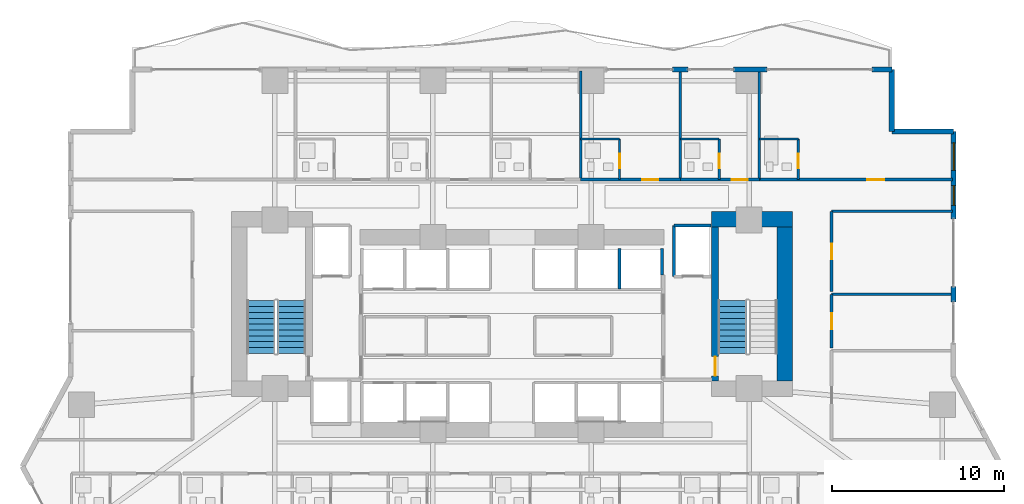
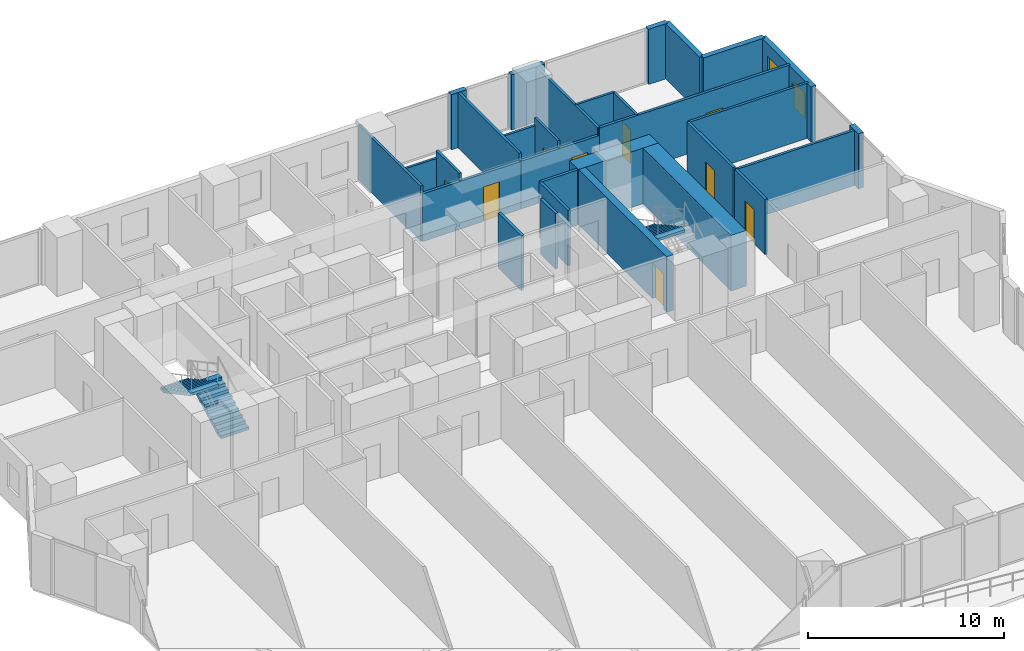
# One storey, part 22 of 28: 30 walls, 9 doors, 3 stair flights, 2 windows, 11 openings, 2 elements without a shape of their own.
"""IFC4 building model written with IfcOpenShell, lengths in metres."""

from ifc_helpers import new_model, si_unit, direction, frame, frame_2d, origin, place, context, subcontext, project, spatial, polyline, rectangle, outline, extrude, material, layer, layer_set, type_object, element, fill, aggregate, save


model = new_model("IFC4")

# Units and contexts
model_context = context("Model", 3, precision=1e-05, world=origin(), true_north=direction((0.0, 1.0)))
body_context = subcontext(model_context, "Body", "Model", "MODEL_VIEW")
ifc_project = project(units=[si_unit("LENGTHUNIT", "METRE"), si_unit("AREAUNIT", "SQUARE_METRE"), si_unit("VOLUMEUNIT", "CUBIC_METRE"), si_unit("PLANEANGLEUNIT", "RADIAN"), si_unit("MASSUNIT", "GRAM", prefix="KILO")], contexts=[model_context])

# Site, building, storey
site_placement = place(None, origin())
site = spatial("IfcSite", under=ifc_project, at=site_placement, CompositionType="ELEMENT")
building_placement = place(site_placement, origin())
building = spatial("IfcBuilding", under=site, at=building_placement, Name="Zuhayl Quay Hotel", CompositionType="ELEMENT")
storey_placement = place(building_placement, frame((0.0, 0.0, 34.89990234375)))
storey = spatial("IfcBuildingStorey", under=building, at=storey_placement, Name="L07", CompositionType="ELEMENT", Elevation=34.89990234375)

# Walls
ifc_material_1 = material(Name="Concrete C70/85", Category="concrete")
ifc_layer_1 = layer(ifc_material_1, 0.89990234375, Name="Concrete C70/85", Category="concrete")
ifc_layer_set_1 = layer_set([ifc_layer_1], Name="Concrete C70/85")
wall_type_1 = type_object("IfcWallType", Name="WL_CORE_900", PredefinedType="SHEAR", material=ifc_layer_set_1)
wall_1_placement = place(storey_placement, frame((11.60009765625, 14.3798828125, 0.0), z_axis=(0.0, 0.0, 1.0), x_axis=(1.0, 0.0, 0.0)))
element("IfcWall", 1, at=wall_1_placement, inside=storey, type_object=wall_type_1, Name="L07 Core Shear Wall CW_NE", PredefinedType="SHEAR", context=body_context, shape_type="SweptSolid", body=[
    extrude(rectangle(XDim=4.7099609375, YDim=0.89990234375, at=frame_2d((2.35498046875, 0.0))), origin(), (0.0, 0.0, 1.0), 3.460205078125),
])
wall_2_placement = place(storey_placement, frame((15.860107421875, 4.969970703125, 0.0), z_axis=(0.0, 0.0, 1.0), x_axis=(0.0, 1.0, 0.0)))
element("IfcWall", 2, at=wall_2_placement, inside=storey, type_object=wall_type_1, Name="L07 Core Shear Wall CW_E", PredefinedType="SHEAR", context=body_context, shape_type="SweptSolid", body=[
    extrude(rectangle(XDim=8.9599609375, YDim=0.89990234375, at=frame_2d((4.47998046875, 0.0))), origin(), (0.0, 0.0, 1.0), 3.460205078125),
])
ifc_material_2 = material(Name="Precast concrete C45/55", Category="concrete")
ifc_layer_2 = layer(ifc_material_2, 0.300048828125, Name="Precast concrete C45/55", Category="concrete")
ifc_layer_set_2 = layer_set([ifc_layer_2], Name="Precast concrete C45/55")
wall_type_2 = type_object("IfcWallType", Name="WL_EXT_300", PredefinedType="STANDARD", material=ifc_layer_set_2)
wall_3_placement = place(storey_placement, frame((9.35009765625, 23.10009765625, 0.0), z_axis=(0.0, 0.0, 1.0), x_axis=(1.0, 0.0, 0.0)))
element("IfcWall", 3, at=wall_3_placement, inside=storey, type_object=wall_type_2, Name="L07 Exterior Precast Wall ENV_L07_N_EW3", PredefinedType="STANDARD", context=body_context, shape_type="SweptSolid", body=[
    extrude(rectangle(XDim=0.89990234375, YDim=0.300048828125, at=frame_2d((0.449951171875, 0.0))), origin(), (0.0, 0.0, 1.0), 3.43017578125),
])
wall_4_placement = place(storey_placement, frame((12.8798828125, 23.10009765625, 0.0), z_axis=(0.0, 0.0, 1.0), x_axis=(1.0, 0.0, 0.0)))
element("IfcWall", 4, at=wall_4_placement, inside=storey, type_object=wall_type_2, Name="L07 Exterior Precast Wall ENV_L07_N_EW4", PredefinedType="STANDARD", context=body_context, shape_type="SweptSolid", body=[
    extrude(rectangle(XDim=1.97021484375, YDim=0.300048828125, at=frame_2d((0.985107421875, 0.0))), origin(), (0.0, 0.0, 1.0), 3.43017578125),
])
wall_5_placement = place(storey_placement, frame((20.949951171875, 23.10009765625, 0.0), z_axis=(0.0, 0.0, 1.0), x_axis=(1.0, 0.0, 0.0)))
element("IfcWall", 5, at=wall_5_placement, inside=storey, type_object=wall_type_2, Name="L07 Exterior Precast Wall ENV_L07_N_EW5", PredefinedType="STANDARD", context=body_context, shape_type="SweptSolid", body=[
    extrude(rectangle(XDim=1.150146484375, YDim=0.300048828125, at=frame_2d((0.5751953125, 0.0))), origin(), (0.0, 0.0, 1.0), 3.43017578125),
])
wall_6_placement = place(storey_placement, frame((22.10009765625, 23.10009765625, 0.0), z_axis=(0.0, 0.0, 1.0), x_axis=(0.0, -1.0, 0.0)))
element("IfcWall", 6, at=wall_6_placement, inside=storey, type_object=wall_type_2, Name="L07 Exterior Precast Wall ENV_L07_EW09", PredefinedType="STANDARD", context=body_context, shape_type="SweptSolid", body=[
    extrude(rectangle(XDim=3.60009765625, YDim=0.300048828125, at=frame_2d((1.800048828125, 0.0))), origin(), (0.0, 0.0, 1.0), 3.43017578125),
])
wall_7_placement = place(storey_placement, frame((22.10009765625, 19.5, 0.0), z_axis=(0.0, 0.0, 1.0), x_axis=(1.0, 0.0, 0.0)))
element("IfcWall", 7, at=wall_7_placement, inside=storey, type_object=wall_type_2, Name="L07 Exterior Precast Wall ENV_L07_EW10", PredefinedType="STANDARD", context=body_context, shape_type="SweptSolid", body=[
    extrude(rectangle(XDim=3.599853515625, YDim=0.300048828125, at=frame_2d((1.7998046875, 0.0))), origin(), (0.0, 0.0, 1.0), 3.43017578125),
])

# Wall, openings, windows
wall_8_placement = place(storey_placement, frame((25.699951171875, 19.5, 0.0), z_axis=(0.0, 0.0, 1.0), x_axis=(0.0, -1.0, 0.0)))
wall_8 = element("IfcWall", 8, at=wall_8_placement, inside=storey, type_object=wall_type_2, Name="L07 Exterior Precast Wall ENV_L07_E11_EW1", PredefinedType="STANDARD", context=body_context, shape_type="SweptSolid", body=[
    extrude(rectangle(XDim=5.10009765625, YDim=0.300048828125, at=frame_2d((2.550048828125, 0.0))), origin(), (0.0, 0.0, 1.0), 3.43017578125),
])
opening_1_placement = place(wall_8_placement, frame((0.659912109375, 0.0, 0.85009765625)))
opening_1 = element("IfcOpeningElement", 9, at=opening_1_placement, cuts=wall_8, Name="Opening W01", PredefinedType="OPENING", context=body_context, shape_type="SweptSolid", body=[
    extrude(rectangle(XDim=1.60009765625, YDim=1.800048828125, at=frame_2d((0.800048828125, 0.89990234375))), frame((0.0, 0.159912109375, 0.0), z_axis=(0.0, -1.0, 0.0), x_axis=(1.0, 0.0, 0.0)), (0.0, 0.0, 1.0), 0.320068359375),
])
opening_2_placement = place(wall_8_placement, frame((3.14990234375, 0.0, 0.949951171875)))
opening_2 = element("IfcOpeningElement", 10, at=opening_2_placement, cuts=wall_8, Name="Opening W01N", PredefinedType="OPENING", context=body_context, shape_type="SweptSolid", body=[
    extrude(rectangle(XDim=1.14990234375, YDim=1.550048828125, at=frame_2d((0.574951171875, 0.77490234375))), frame((0.0, 0.159912109375, 0.0), z_axis=(0.0, -1.0, 0.0), x_axis=(1.0, 0.0, 0.0)), (0.0, 0.0, 1.0), 0.320068359375),
])
ifc_material_3 = material(Name="Dark Ceramic-Fritted Solar Glass", Category="glass")
window_type_1 = type_object("IfcWindowType", Name="WN_NOTCH_1350", PartitioningType="SINGLE_PANEL", PredefinedType="WINDOW", material=ifc_material_3)
window_1_placement = place(opening_2_placement, origin())
window_1 = element("IfcWindow", 11, at=window_1_placement, inside=storey, type_object=window_type_1, Name="L07 Operable Facade Window 1-2", OverallHeight=1.550048828125, OverallWidth=1.14990234375, PartitioningType="SINGLE_PANEL", PredefinedType="WINDOW", context=body_context, shape_type="SweptSolid", body=[
    extrude(rectangle(XDim=1.14990234375, YDim=1.550048828125, at=frame_2d((0.574951171875, 0.77490234375))), frame((0.0, 0.030029296875, 0.0), z_axis=(0.0, -1.0, 0.0), x_axis=(1.0, 0.0, 0.0)), (0.0, 0.0, 1.0), 0.06005859375),
])
fill(opening_2, window_1)
window_type_2 = type_object("IfcWindowType", Name="WN_OPERABLE_1600", PartitioningType="DOUBLE_PANEL_VERTICAL", PredefinedType="WINDOW", material=ifc_material_3)
window_2_placement = place(opening_1_placement, origin())
window_2 = element("IfcWindow", 12, at=window_2_placement, inside=storey, type_object=window_type_2, Name="L07 Operable Facade Window 1-1", OverallHeight=1.800048828125, OverallWidth=1.60009765625, PartitioningType="SINGLE_PANEL", PredefinedType="WINDOW", context=body_context, shape_type="SweptSolid", body=[
    extrude(rectangle(XDim=1.60009765625, YDim=1.800048828125, at=frame_2d((0.800048828125, 0.89990234375))), frame((0.0, 0.030029296875, 0.0), z_axis=(0.0, -1.0, 0.0), x_axis=(1.0, 0.0, 0.0)), (0.0, 0.0, 1.0), 0.06005859375),
])
fill(opening_1, window_2)

# Walls
wall_9_placement = place(storey_placement, frame((25.699951171875, 10.469970703125, 0.0), z_axis=(0.0, 0.0, 1.0), x_axis=(0.0, -1.0, 0.0)))
element("IfcWall", 13, at=wall_9_placement, inside=storey, type_object=wall_type_2, Name="L07 Exterior Precast Wall ENV_L07_E11_EW2", PredefinedType="STANDARD", context=body_context, shape_type="SweptSolid", body=[
    extrude(rectangle(XDim=0.89990234375, YDim=0.300048828125, at=frame_2d((0.449951171875, 0.0))), origin(), (0.0, 0.0, 1.0), 3.43017578125),
])
ifc_material_4 = material(Name="Acoustic Gypsum Partition STC-58")
ifc_layer_3 = layer(ifc_material_4, 0.14990234375, Name="Acoustic Gypsum Partition STC-58")
ifc_layer_set_3 = layer_set([ifc_layer_3], Name="Acoustic Gypsum Partition STC-58")
wall_type_3 = type_object("IfcWallType", Name="WL_PART_150", PredefinedType="PARTITIONING", material=ifc_layer_set_3)
for number, where, z_axis, x_axis, name in (
    (14, (4.0, 16.699951171875, 0.0), (0.0, 0.0, 1.0), (0.0, 1.0, 0.0), "L07 Partition IW_L07_NU04_E"),
    (15, (9.800048828125, 16.699951171875, 0.0), (0.0, 0.0, 1.0), (0.0, 1.0, 0.0), "L07 Partition IW_L07_NU05_E"),
    (16, (14.39990234375, 16.699951171875, 0.0), (0.0, 0.0, 1.0), (0.0, 1.0, 0.0), "L07 Partition IW_L07_NU06_E"),
):
    element("IfcWall", number, at=place(storey_placement, frame(where, z_axis=z_axis, x_axis=x_axis)), inside=storey, type_object=wall_type_3, Name=name, PredefinedType="PARTITIONING", context=body_context, shape_type="SweptSolid", body=[
        extrude(rectangle(XDim=6.320068359375, YDim=0.14990234375, at=frame_2d((3.16015625, 0.0))), origin(), (0.0, 0.0, 1.0), 3.43017578125),
    ])
for number, where, z_axis, x_axis, name in (
    (17, (18.60009765625, 10.02001953125, 0.0), (0.0, 0.0, 1.0), (1.0, 0.0, 0.0), "L07 Partition IW_L07_EFLK_2_N"),
    (18, (18.60009765625, 14.85009765625, 0.0), (0.0, 0.0, 1.0), (1.0, 0.0, 0.0), "L07 Partition IW_L07_EFLK_3_N"),
):
    element("IfcWall", number, at=place(storey_placement, frame(where, z_axis=z_axis, x_axis=x_axis)), inside=storey, type_object=wall_type_3, Name=name, PredefinedType="PARTITIONING", context=body_context, shape_type="SweptSolid", body=[
        extrude(rectangle(XDim=7.039794921875, YDim=0.14990234375, at=frame_2d((3.52001953125, 0.0))), origin(), (0.0, 0.0, 1.0), 3.43017578125),
    ])

# Wall, opening, door
ifc_layer_4 = layer(ifc_material_4, 0.159912109375, Name="Acoustic Gypsum Partition STC-58")
ifc_layer_set_4 = layer_set([ifc_layer_4], Name="Acoustic Gypsum Partition STC-58")
wall_type_4 = type_object("IfcWallType", Name="WL_PART_CORR_160", PredefinedType="PARTITIONING", material=ifc_layer_set_4)
wall_10_placement = place(storey_placement, frame((4.0, 16.699951171875, 0.0), z_axis=(0.0, 0.0, 1.0), x_axis=(1.0, 0.0, 0.0)))
wall_10 = element("IfcWall", 19, at=wall_10_placement, inside=storey, type_object=wall_type_4, Name="L07 Partition IW_L07_NU05_COR", PredefinedType="PARTITIONING", context=body_context, shape_type="SweptSolid", body=[
    extrude(rectangle(XDim=5.800048828125, YDim=0.159912109375, at=frame_2d((2.89990234375, 0.0))), origin(), (0.0, 0.0, 1.0), 2.97314453125),
])
opening_3_placement = place(wall_10_placement, frame((3.574951171875, 0.0, 0.0)))
opening_3 = element("IfcOpeningElement", 20, at=opening_3_placement, cuts=wall_10, Name="Opening D03", PredefinedType="OPENING", context=body_context, shape_type="SweptSolid", body=[
    extrude(rectangle(XDim=0.949951171875, YDim=2.14990234375, at=frame_2d((0.47509765625, 1.074951171875))), frame((0.0, 0.08984375, 0.0), z_axis=(0.0, -1.0, 0.0), x_axis=(1.0, 0.0, 0.0)), (0.0, 0.0, 1.0), 0.179931640625),
])
ifc_material_5 = material(Name="Solid Walnut Acoustic Fire Door")
door_type_1 = type_object("IfcDoorType", Name="DR_SUITE_950", OperationType="NOTDEFINED", PredefinedType="DOOR", material=ifc_material_5)
door_1_placement = place(opening_3_placement, origin())
door_1 = element("IfcDoor", 21, at=door_1_placement, inside=storey, type_object=door_type_1, Name="L07 Deluxe Gulf Guest Room L07-05 Entrance Door", OperationType="SINGLE_SWING_RIGHT", OverallHeight=2.14990234375, OverallWidth=0.949951171875, PredefinedType="DOOR", context=body_context, shape_type="SweptSolid", body=[
    extrude(rectangle(XDim=0.949951171875, YDim=2.14990234375, at=frame_2d((0.47509765625, 1.074951171875))), frame((0.0, 0.02490234375, 0.0), z_axis=(0.0, -1.0, 0.0), x_axis=(1.0, 0.0, 0.0)), (0.0, 0.0, 1.0), 0.050048828125),
])
fill(opening_3, door_1)

wall_11_placement = place(storey_placement, frame((9.800048828125, 16.699951171875, 0.0), z_axis=(0.0, 0.0, 1.0), x_axis=(1.0, 0.0, 0.0)))
wall_11 = element("IfcWall", 22, at=wall_11_placement, inside=storey, type_object=wall_type_4, Name="L07 Partition IW_L07_NU06_COR", PredefinedType="PARTITIONING", context=body_context, shape_type="SweptSolid", body=[
    extrude(rectangle(XDim=4.599853515625, YDim=0.159912109375, at=frame_2d((2.2998046875, 0.0))), origin(), (0.0, 0.0, 1.0), 2.97314453125),
])
opening_4_placement = place(wall_11_placement, frame((2.97509765625, 0.0, 0.0)))
opening_4 = element("IfcOpeningElement", 23, at=opening_4_placement, cuts=wall_11, Name="Opening D03", PredefinedType="OPENING", context=body_context, shape_type="SweptSolid", body=[
    extrude(rectangle(XDim=0.949951171875, YDim=2.14990234375, at=frame_2d((0.47509765625, 1.074951171875))), frame((0.0, 0.08984375, 0.0), z_axis=(0.0, -1.0, 0.0), x_axis=(1.0, 0.0, 0.0)), (0.0, 0.0, 1.0), 0.179931640625),
])
door_2_placement = place(opening_4_placement, origin())
door_2 = element("IfcDoor", 24, at=door_2_placement, inside=storey, type_object=door_type_1, Name="L07 Deluxe Gulf Guest Room L07-06 Entrance Door", OperationType="SINGLE_SWING_RIGHT", OverallHeight=2.14990234375, OverallWidth=0.949951171875, PredefinedType="DOOR", context=body_context, shape_type="SweptSolid", body=[
    extrude(rectangle(XDim=0.949951171875, YDim=2.14990234375, at=frame_2d((0.47509765625, 1.074951171875))), frame((0.0, 0.02490234375, 0.0), z_axis=(0.0, -1.0, 0.0), x_axis=(1.0, 0.0, 0.0)), (0.0, 0.0, 1.0), 0.050048828125),
])
fill(opening_4, door_2)

wall_12_placement = place(storey_placement, frame((14.39990234375, 16.699951171875, 0.0), z_axis=(0.0, 0.0, 1.0), x_axis=(1.0, 0.0, 0.0)))
wall_12 = element("IfcWall", 25, at=wall_12_placement, inside=storey, type_object=wall_type_4, Name="L07 Partition IW_L07_NU07_COR", PredefinedType="PARTITIONING", context=body_context, shape_type="SweptSolid", body=[
    extrude(rectangle(XDim=11.239990234375, YDim=0.159912109375, at=frame_2d((5.6201171875, 0.0))), origin(), (0.0, 0.0, 1.0), 3.43017578125),
])
opening_5_placement = place(wall_12_placement, frame((6.27001953125, 0.0, 0.0)))
opening_5 = element("IfcOpeningElement", 26, at=opening_5_placement, cuts=wall_12, Name="Opening D03L", PredefinedType="OPENING", context=body_context, shape_type="SweptSolid", body=[
    extrude(rectangle(XDim=1.0, YDim=2.14990234375, at=frame_2d((0.5, 1.074951171875))), frame((0.0, 0.08984375, 0.0), z_axis=(0.0, -1.0, 0.0), x_axis=(1.0, 0.0, 0.0)), (0.0, 0.0, 1.0), 0.179931640625),
])
door_type_2 = type_object("IfcDoorType", Name="DR_SUITE_1000", OperationType="NOTDEFINED", PredefinedType="DOOR", material=ifc_material_5)
door_3_placement = place(opening_5_placement, origin())
door_3 = element("IfcDoor", 27, at=door_3_placement, inside=storey, type_object=door_type_2, Name="L07 Deluxe Gulf Guest Room L07-07 Entrance Door", OperationType="SINGLE_SWING_RIGHT", OverallHeight=2.14990234375, OverallWidth=1.0, PredefinedType="DOOR", context=body_context, shape_type="SweptSolid", body=[
    extrude(rectangle(XDim=1.0, YDim=2.14990234375, at=frame_2d((0.5, 1.074951171875))), frame((0.0, 0.02490234375, 0.0), z_axis=(0.0, -1.0, 0.0), x_axis=(1.0, 0.0, 0.0)), (0.0, 0.0, 1.0), 0.050048828125),
])
fill(opening_5, door_3)

wall_13_placement = place(storey_placement, frame((18.60009765625, 6.909912109375, 0.0), z_axis=(0.0, 0.0, 1.0), x_axis=(0.0, 1.0, 0.0)))
wall_13 = element("IfcWall", 28, at=wall_13_placement, inside=storey, type_object=wall_type_4, Name="L07 Partition IW_L07_EFLK_2_W", PredefinedType="PARTITIONING", context=body_context, shape_type="SweptSolid", body=[
    extrude(rectangle(XDim=3.110107421875, YDim=0.159912109375, at=frame_2d((1.55517578125, 0.0))), origin(), (0.0, 0.0, 1.0), 3.43017578125),
])
opening_6_placement = place(wall_13_placement, frame((1.094970703125, 0.0, 0.0)))
opening_6 = element("IfcOpeningElement", 29, at=opening_6_placement, cuts=wall_13, Name="Opening D05", PredefinedType="OPENING", context=body_context, shape_type="SweptSolid", body=[
    extrude(rectangle(XDim=0.919921875, YDim=2.1201171875, at=frame_2d((0.4599609375, 1.06005859375))), frame((0.0, 0.08984375, 0.0), z_axis=(0.0, -1.0, 0.0), x_axis=(1.0, 0.0, 0.0)), (0.0, 0.0, 1.0), 0.179931640625),
])
door_type_3 = type_object("IfcDoorType", Name="DR_INT_950", OperationType="NOTDEFINED", PredefinedType="DOOR", material=ifc_material_5)
door_4_placement = place(opening_6_placement, origin())
door_4 = element("IfcDoor", 30, at=door_4_placement, inside=storey, type_object=door_type_3, Name="L07 Floor Beverage Pantry Door", OperationType="SINGLE_SWING_RIGHT", OverallHeight=2.1201171875, OverallWidth=0.919921875, PredefinedType="DOOR", context=body_context, shape_type="SweptSolid", body=[
    extrude(rectangle(XDim=0.919921875, YDim=2.1201171875, at=frame_2d((0.4599609375, 1.06005859375))), frame((0.0, 0.02490234375, 0.0), z_axis=(0.0, -1.0, 0.0), x_axis=(1.0, 0.0, 0.0)), (0.0, 0.0, 1.0), 0.050048828125),
])
fill(opening_6, door_4)

wall_14_placement = place(storey_placement, frame((18.60009765625, 10.179931640625, 0.0), z_axis=(0.0, 0.0, 1.0), x_axis=(0.0, 1.0, 0.0)))
wall_14 = element("IfcWall", 31, at=wall_14_placement, inside=storey, type_object=wall_type_4, Name="L07 Partition IW_L07_EFLK_3_W", PredefinedType="PARTITIONING", context=body_context, shape_type="SweptSolid", body=[
    extrude(rectangle(XDim=4.670166015625, YDim=0.159912109375, at=frame_2d((2.3349609375, 0.0))), origin(), (0.0, 0.0, 1.0), 3.43017578125),
])
opening_7_placement = place(wall_14_placement, frame((1.875, 0.0, 0.0)))
opening_7 = element("IfcOpeningElement", 32, at=opening_7_placement, cuts=wall_14, Name="Opening D05", PredefinedType="OPENING", context=body_context, shape_type="SweptSolid", body=[
    extrude(rectangle(XDim=0.919921875, YDim=2.1201171875, at=frame_2d((0.4599609375, 1.06005859375))), frame((0.0, 0.08984375, 0.0), z_axis=(0.0, -1.0, 0.0), x_axis=(1.0, 0.0, 0.0)), (0.0, 0.0, 1.0), 0.179931640625),
])
door_5_placement = place(opening_7_placement, origin())
door_5 = element("IfcDoor", 33, at=door_5_placement, inside=storey, type_object=door_type_3, Name="L07 East Prow Office L07 Door", OperationType="SINGLE_SWING_LEFT", OverallHeight=2.1201171875, OverallWidth=0.919921875, PredefinedType="DOOR", context=body_context, shape_type="SweptSolid", body=[
    extrude(rectangle(XDim=0.919921875, YDim=2.1201171875, at=frame_2d((0.4599609375, 1.06005859375))), frame((0.0, 0.02490234375, 0.0), z_axis=(0.0, -1.0, 0.0), x_axis=(1.0, 0.0, 0.0)), (0.0, 0.0, 1.0), 0.050048828125),
])
fill(opening_7, door_5)

ifc_material_6 = material(Name="Moisture-Resistant Sanitarychase Gypsum")
ifc_layer_5 = layer(ifc_material_6, 0.135009765625, Name="Moisture-Resistant Sanitarychase Gypsum")
ifc_layer_set_5 = layer_set([ifc_layer_5], Name="Moisture-Resistant Sanitarychase Gypsum")
wall_type_5 = type_object("IfcWallType", Name="WL_PART_PLUMB_150", PredefinedType="PLUMBINGWALL", material=ifc_layer_set_5)
wall_15_placement = place(storey_placement, frame((6.260009765625, 16.699951171875, 0.0), z_axis=(0.0, 0.0, 1.0), x_axis=(0.0, 1.0, 0.0)))
wall_15 = element("IfcWall", 34, at=wall_15_placement, inside=storey, type_object=wall_type_5, Name="L07 Partition IW_L07_NU05_BE", PredefinedType="PLUMBINGWALL", context=body_context, shape_type="SweptSolid", body=[
    extrude(rectangle(XDim=2.360107421875, YDim=0.135009765625, at=frame_2d((1.18017578125, 0.0))), origin(), (0.0, 0.0, 1.0), 3.43017578125),
])
opening_8_placement = place(wall_15_placement, frame((0.64990234375, 0.0, 0.0)))
opening_8 = element("IfcOpeningElement", 35, at=opening_8_placement, cuts=wall_15, Name="Opening D04", PredefinedType="OPENING", context=body_context, shape_type="SweptSolid", body=[
    extrude(rectangle(XDim=0.85009765625, YDim=2.10009765625, at=frame_2d((0.425048828125, 1.050048828125))), frame((0.0, 0.077392578125, 0.0), z_axis=(0.0, -1.0, 0.0), x_axis=(1.0, 0.0, 0.0)), (0.0, 0.0, 1.0), 0.155029296875),
])
ifc_material_7 = material(Name="Moisture-Resistant Walnut Veneer")
door_type_4 = type_object("IfcDoorType", Name="DR_BATH_850", OperationType="NOTDEFINED", PredefinedType="DOOR", material=ifc_material_7)
door_6_placement = place(opening_8_placement, origin())
door_6 = element("IfcDoor", 36, at=door_6_placement, inside=storey, type_object=door_type_4, Name="L07 Deluxe Gulf Guest Room L07-05 En-Suite Door", OperationType="SINGLE_SWING_LEFT", OverallHeight=2.10009765625, OverallWidth=0.85009765625, PredefinedType="DOOR", context=body_context, shape_type="SweptSolid", body=[
    extrude(rectangle(XDim=0.85009765625, YDim=2.10009765625, at=frame_2d((0.425048828125, 1.050048828125))), frame((0.0, 0.02490234375, 0.0), z_axis=(0.0, -1.0, 0.0), x_axis=(1.0, 0.0, 0.0)), (0.0, 0.0, 1.0), 0.050048828125),
])
fill(opening_8, door_6)

wall_16_placement = place(storey_placement, frame((12.06005859375, 16.699951171875, 0.0), z_axis=(0.0, 0.0, 1.0), x_axis=(0.0, 1.0, 0.0)))
wall_16 = element("IfcWall", 37, at=wall_16_placement, inside=storey, type_object=wall_type_5, Name="L07 Partition IW_L07_NU06_BE", PredefinedType="PLUMBINGWALL", context=body_context, shape_type="SweptSolid", body=[
    extrude(rectangle(XDim=2.360107421875, YDim=0.135009765625, at=frame_2d((1.18017578125, 0.0))), origin(), (0.0, 0.0, 1.0), 3.43017578125),
])
opening_9_placement = place(wall_16_placement, frame((0.64990234375, 0.0, 0.0)))
opening_9 = element("IfcOpeningElement", 38, at=opening_9_placement, cuts=wall_16, Name="Opening D04", PredefinedType="OPENING", context=body_context, shape_type="SweptSolid", body=[
    extrude(rectangle(XDim=0.85009765625, YDim=2.10009765625, at=frame_2d((0.425048828125, 1.050048828125))), frame((0.0, 0.077392578125, 0.0), z_axis=(0.0, -1.0, 0.0), x_axis=(1.0, 0.0, 0.0)), (0.0, 0.0, 1.0), 0.155029296875),
])
door_7_placement = place(opening_9_placement, origin())
door_7 = element("IfcDoor", 39, at=door_7_placement, inside=storey, type_object=door_type_4, Name="L07 Deluxe Gulf Guest Room L07-06 En-Suite Door", OperationType="SINGLE_SWING_LEFT", OverallHeight=2.10009765625, OverallWidth=0.85009765625, PredefinedType="DOOR", context=body_context, shape_type="SweptSolid", body=[
    extrude(rectangle(XDim=0.85009765625, YDim=2.10009765625, at=frame_2d((0.425048828125, 1.050048828125))), frame((0.0, 0.02490234375, 0.0), z_axis=(0.0, -1.0, 0.0), x_axis=(1.0, 0.0, 0.0)), (0.0, 0.0, 1.0), 0.050048828125),
])
fill(opening_9, door_7)

wall_17_placement = place(storey_placement, frame((16.659912109375, 16.699951171875, 0.0), z_axis=(0.0, 0.0, 1.0), x_axis=(0.0, 1.0, 0.0)))
wall_17 = element("IfcWall", 40, at=wall_17_placement, inside=storey, type_object=wall_type_5, Name="L07 Partition IW_L07_NU07_BE", PredefinedType="PLUMBINGWALL", context=body_context, shape_type="SweptSolid", body=[
    extrude(rectangle(XDim=2.360107421875, YDim=0.135009765625, at=frame_2d((1.18017578125, 0.0))), origin(), (0.0, 0.0, 1.0), 3.43017578125),
])
opening_10_placement = place(wall_17_placement, frame((0.64990234375, 0.0, 0.0)))
opening_10 = element("IfcOpeningElement", 41, at=opening_10_placement, cuts=wall_17, Name="Opening D04", PredefinedType="OPENING", context=body_context, shape_type="SweptSolid", body=[
    extrude(rectangle(XDim=0.85009765625, YDim=2.10009765625, at=frame_2d((0.425048828125, 1.050048828125))), frame((0.0, 0.077392578125, 0.0), z_axis=(0.0, -1.0, 0.0), x_axis=(1.0, 0.0, 0.0)), (0.0, 0.0, 1.0), 0.155029296875),
])
door_8_placement = place(opening_10_placement, origin())
door_8 = element("IfcDoor", 42, at=door_8_placement, inside=storey, type_object=door_type_4, Name="L07 Deluxe Gulf Guest Room L07-07 En-Suite Door", OperationType="SINGLE_SWING_LEFT", OverallHeight=2.10009765625, OverallWidth=0.85009765625, PredefinedType="DOOR", context=body_context, shape_type="SweptSolid", body=[
    extrude(rectangle(XDim=0.85009765625, YDim=2.10009765625, at=frame_2d((0.425048828125, 1.050048828125))), frame((0.0, 0.02490234375, 0.0), z_axis=(0.0, -1.0, 0.0), x_axis=(1.0, 0.0, 0.0)), (0.0, 0.0, 1.0), 0.050048828125),
])
fill(opening_10, door_8)

# Walls
for number, where, z_axis, x_axis, name in (
    (43, (4.0, 19.06005859375, 0.0), (0.0, 0.0, 1.0), (1.0, 0.0, 0.0), "L07 Partition IW_L07_NU05_BN"),
    (44, (9.800048828125, 19.06005859375, 0.0), (0.0, 0.0, 1.0), (1.0, 0.0, 0.0), "L07 Partition IW_L07_NU06_BN"),
):
    element("IfcWall", number, at=place(storey_placement, frame(where, z_axis=z_axis, x_axis=x_axis)), inside=storey, type_object=wall_type_5, Name=name, PredefinedType="PLUMBINGWALL", context=body_context, shape_type="SweptSolid", body=[
        extrude(rectangle(XDim=2.260009765625, YDim=0.135009765625, at=frame_2d((1.1298828125, 0.0))), origin(), (0.0, 0.0, 1.0), 2.97314453125),
    ])
wall_18_placement = place(storey_placement, frame((14.39990234375, 19.06005859375, 0.0), z_axis=(0.0, 0.0, 1.0), x_axis=(1.0, 0.0, 0.0)))
element("IfcWall", 45, at=wall_18_placement, inside=storey, type_object=wall_type_5, Name="L07 Partition IW_L07_NU07_BN", PredefinedType="PLUMBINGWALL", context=body_context, shape_type="SweptSolid", body=[
    extrude(rectangle(XDim=2.260009765625, YDim=0.135009765625, at=frame_2d((1.1298828125, 0.0))), origin(), (0.0, 0.0, 1.0), 3.43017578125),
])
ifc_material_8 = material(Name="Gypsum Fireboard Assembly EI-90")
ifc_layer_6 = layer(ifc_material_8, 0.1650390625, Name="Gypsum Fireboard Assembly EI-90")
ifc_layer_set_6 = layer_set([ifc_layer_6], Name="Gypsum Fireboard Assembly EI-90")
wall_type_6 = type_object("IfcWallType", Name="WL_PART_SHAFT_160", PredefinedType="PARTITIONING", material=ifc_layer_set_6)
wall_19_placement = place(storey_placement, frame((9.419921875, 11.070068359375, 0.0), z_axis=(0.0, 0.0, 1.0), x_axis=(0.0, 1.0, 0.0)))
element("IfcWall", 46, at=wall_19_placement, inside=storey, type_object=wall_type_6, Name="L07 Partition IW_L07_SH_FL2_W", PredefinedType="PARTITIONING", context=body_context, shape_type="SweptSolid", body=[
    extrude(rectangle(XDim=2.9599609375, YDim=0.1650390625, at=frame_2d((1.47998046875, 0.0))), origin(), (0.0, 0.0, 1.0), 3.43017578125),
])
wall_20_placement = place(storey_placement, frame((9.419921875, 14.030029296875, 0.0), z_axis=(0.0, 0.0, 1.0), x_axis=(1.0, 0.0, 0.0)))
element("IfcWall", 47, at=wall_20_placement, inside=storey, type_object=wall_type_6, Name="L07 Partition IW_L07_SH_FL2_B", PredefinedType="PARTITIONING", context=body_context, shape_type="SweptSolid", body=[
    extrude(rectangle(XDim=2.16015625, YDim=0.1650390625, at=frame_2d((1.080078125, 0.0))), origin(), (0.0, 0.0, 1.0), 3.43017578125),
])
wall_21_placement = place(storey_placement, frame((6.25, 10.320068359375, 0.0), z_axis=(0.0, 0.0, 1.0), x_axis=(0.0, 1.0, 0.0)))
element("IfcWall", 48, at=wall_21_placement, inside=storey, type_object=wall_type_6, Name="L07 Partition IW_L07_SH_HP3_E", PredefinedType="PARTITIONING", context=body_context, shape_type="SweptSolid", body=[
    extrude(rectangle(XDim=2.35986328125, YDim=0.1650390625, at=frame_2d((1.179931640625, 0.0))), origin(), (0.0, 0.0, 1.0), 3.43017578125),
])
wall_22_placement = place(storey_placement, frame((8.72998046875, 11.14990234375, 0.0), z_axis=(0.0, 0.0, 1.0), x_axis=(0.0, 1.0, 0.0)))
element("IfcWall", 49, at=wall_22_placement, inside=storey, type_object=wall_type_6, Name="L07 Partition IW_L07_SH_HP4_E", PredefinedType="PARTITIONING", context=body_context, shape_type="SweptSolid", body=[
    extrude(rectangle(XDim=1.530029296875, YDim=0.1650390625, at=frame_2d((0.76513671875, 0.0))), origin(), (0.0, 0.0, 1.0), 3.43017578125),
])

# Wall, opening, door
ifc_material_9 = material(Name="Concrete C60/75", Category="concrete")
ifc_layer_7 = layer(ifc_material_9, 0.39990234375, Name="Concrete C60/75", Category="concrete")
ifc_layer_set_7 = layer_set([ifc_layer_7], Name="Concrete C60/75")
wall_type_7 = type_object("IfcWallType", Name="WL_STAIR_400", PredefinedType="SHEAR", material=ifc_layer_set_7)
wall_23_placement = place(storey_placement, frame((11.820068359375, 13.929931640625, 0.0), z_axis=(0.0, 0.0, 1.0), x_axis=(0.0, -1.0, 0.0)))
wall_23 = element("IfcWall", 50, at=wall_23_placement, inside=storey, type_object=wall_type_7, Name="L07 Core Shear Wall SW_ST2", PredefinedType="SHEAR", context=body_context, shape_type="SweptSolid", body=[
    extrude(rectangle(XDim=8.9599609375, YDim=0.39990234375, at=frame_2d((4.47998046875, 0.0))), origin(), (0.0, 0.0, 1.0), 3.460205078125),
])
opening_11_placement = place(wall_23_placement, frame((7.530029296875, 0.0, 0.0)))
opening_11 = element("IfcOpeningElement", 51, at=opening_11_placement, cuts=wall_23, Name="Opening D01", PredefinedType="OPENING", context=body_context, shape_type="SweptSolid", body=[
    extrude(rectangle(XDim=1.1201171875, YDim=2.219970703125, at=frame_2d((0.56005859375, 1.10986328125))), frame((0.0, 0.2099609375, 0.0), z_axis=(0.0, -1.0, 0.0), x_axis=(1.0, 0.0, 0.0)), (0.0, 0.0, 1.0), 0.419921875),
])
ifc_material_10 = material(Name="Steel ASTM A992 Grade 50", Category="steel")
door_type_5 = type_object("IfcDoorType", Name="DR_STAIR_90_1100", OperationType="NOTDEFINED", PredefinedType="DOOR", material=ifc_material_10)
door_9_placement = place(opening_11_placement, origin())
door_9 = element("IfcDoor", 52, at=door_9_placement, inside=storey, type_object=door_type_5, Name="L07 Smokeproof Exit Stair ST2 Door", OperationType="SINGLE_SWING_RIGHT", OverallHeight=2.219970703125, OverallWidth=1.1201171875, PredefinedType="DOOR", context=body_context, shape_type="SweptSolid", body=[
    extrude(rectangle(XDim=1.1201171875, YDim=2.219970703125, at=frame_2d((0.56005859375, 1.10986328125))), frame((0.0, 0.02490234375, 0.0), z_axis=(0.0, -1.0, 0.0), x_axis=(1.0, 0.0, 0.0)), (0.0, 0.0, 1.0), 0.050048828125),
])
fill(opening_11, door_9)

# Stair, stair flights
ifc_material_11 = material(Name="Concrete C45/55", Category="concrete")
stair_type = type_object("IfcStairType", Name="ST_DOGLEG_TOWER", PredefinedType="HALF_TURN_STAIR", material=ifc_material_11)
stair_1_placement = place(storey_placement, origin())
stair_1 = element("IfcStair", 53, at=stair_1_placement, inside=storey, type_object=stair_type, Name="L07 Smokeproof Exit Stair ST1", PredefinedType="HALF_TURN_STAIR")
ifc_layer_8 = layer(ifc_material_11, 0.159912109375, Name="Concrete C45/55", Category="concrete")
ifc_layer_set_8 = layer_set([ifc_layer_8], Name="Concrete C45/55")
stair_flight_type = type_object("IfcStairFlightType", Name="SF_CONC_164", PredefinedType="STRAIGHT", material=ifc_layer_set_8)
stair_flight_1_placement = place(storey_placement, frame((-12.820068359375, 6.590087890625, 0.0), z_axis=(0.0, 0.0, 1.0), x_axis=(0.0, 1.0, 0.0)))
stair_flight_1 = element("IfcStairFlight", 54, at=stair_flight_1_placement, type_object=stair_flight_type, Name="ST1 flight 1", NumberOfRisers=10, NumberOfTreads=9, PredefinedType="STRAIGHT", RiserHeight=0.1825, TreadLength=0.34, context=body_context, shape_type="SweptSolid", body=[
    extrude(outline(polyline([(0.0, 0.0), (0.0, 0.1826171875), (0.340087890625, 0.1826171875), (0.340087890625, 0.364990234375), (0.679931640625, 0.364990234375), (0.679931640625, 0.547607421875), (1.02001953125, 0.547607421875), (1.02001953125, 0.72998046875), (1.360107421875, 0.72998046875), (1.360107421875, 0.91259765625), (1.699951171875, 0.91259765625), (1.699951171875, 1.094970703125), (2.0400390625, 1.094970703125), (2.0400390625, 1.277587890625), (2.3798828125, 1.277587890625), (2.3798828125, 1.4599609375), (2.719970703125, 1.4599609375), (2.719970703125, 1.642578125), (3.06005859375, 1.642578125), (3.06005859375, 1.824951171875), (3.06005859375, 1.472412109375), (0.31689453125, 0.0), (0.0, 0.0)])), frame((0.0, 0.81982421875, 0.0), z_axis=(0.0, -1.0, 0.0), x_axis=(1.0, 0.0, 0.0)), (0.0, 0.0, 1.0), 1.639892578125),
])
stair_flight_2_placement = place(storey_placement, frame((-14.610107421875, 9.64990234375, 1.8251953125), z_axis=(0.0, 0.0, 1.0), x_axis=(0.0, -1.0, 0.0)))
stair_flight_2 = element("IfcStairFlight", 55, at=stair_flight_2_placement, type_object=stair_flight_type, Name="ST1 flight 2", NumberOfRisers=10, NumberOfTreads=9, PredefinedType="STRAIGHT", RiserHeight=0.1825, TreadLength=0.34, context=body_context, shape_type="SweptSolid", body=[
    extrude(outline(polyline([(0.0, 0.0), (0.0, 0.1826171875), (0.340087890625, 0.1826171875), (0.340087890625, 0.364990234375), (0.679931640625, 0.364990234375), (0.679931640625, 0.547607421875), (1.02001953125, 0.547607421875), (1.02001953125, 0.72998046875), (1.360107421875, 0.72998046875), (1.360107421875, 0.91259765625), (1.699951171875, 0.91259765625), (1.699951171875, 1.094970703125), (2.0400390625, 1.094970703125), (2.0400390625, 1.277587890625), (2.3798828125, 1.277587890625), (2.3798828125, 1.4599609375), (2.719970703125, 1.4599609375), (2.719970703125, 1.642578125), (3.06005859375, 1.642578125), (3.06005859375, 1.824951171875), (3.06005859375, 1.472412109375), (0.31689453125, 0.0), (0.0, 0.0)])), frame((0.0, 0.81982421875, 0.0), z_axis=(0.0, -1.0, 0.0), x_axis=(1.0, 0.0, 0.0)), (0.0, 0.0, 1.0), 1.639892578125),
])
aggregate(stair_1, [stair_flight_1, stair_flight_2])

# Stair, stair flight
stair_2_placement = place(storey_placement, origin())
stair_2 = element("IfcStair", 56, at=stair_2_placement, inside=storey, type_object=stair_type, Name="L07 Smokeproof Exit Stair ST2", PredefinedType="HALF_TURN_STAIR")
stair_flight_3_placement = place(storey_placement, frame((12.820068359375, 9.64990234375, 1.8251953125), z_axis=(0.0, 0.0, 1.0), x_axis=(0.0, -1.0, 0.0)))
stair_flight_3 = element("IfcStairFlight", 57, at=stair_flight_3_placement, type_object=stair_flight_type, Name="ST2 flight 2", NumberOfRisers=10, NumberOfTreads=9, PredefinedType="STRAIGHT", RiserHeight=0.1825, TreadLength=0.34, context=body_context, shape_type="SweptSolid", body=[
    extrude(outline(polyline([(0.0, 0.0), (0.0, 0.1826171875), (0.340087890625, 0.1826171875), (0.340087890625, 0.364990234375), (0.679931640625, 0.364990234375), (0.679931640625, 0.547607421875), (1.02001953125, 0.547607421875), (1.02001953125, 0.72998046875), (1.360107421875, 0.72998046875), (1.360107421875, 0.91259765625), (1.699951171875, 0.91259765625), (1.699951171875, 1.094970703125), (2.0400390625, 1.094970703125), (2.0400390625, 1.277587890625), (2.3798828125, 1.277587890625), (2.3798828125, 1.4599609375), (2.719970703125, 1.4599609375), (2.719970703125, 1.642578125), (3.06005859375, 1.642578125), (3.06005859375, 1.824951171875), (3.06005859375, 1.472412109375), (0.31689453125, 0.0), (0.0, 0.0)])), frame((0.0, 0.81982421875, 0.0), z_axis=(0.0, -1.0, 0.0), x_axis=(1.0, 0.0, 0.0)), (0.0, 0.0, 1.0), 1.639892578125),
])
aggregate(stair_2, [stair_flight_3])

save(model, "model.ifc")
